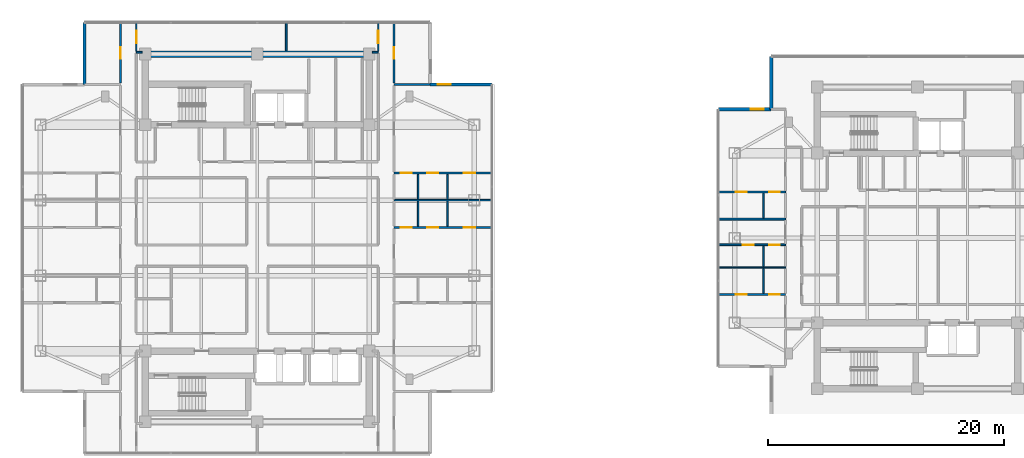
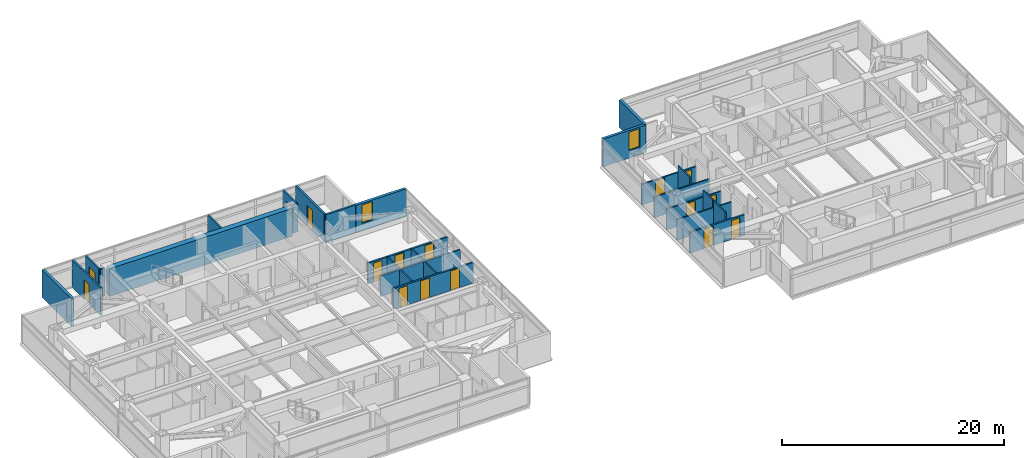
# One storey, part 15 of 24: 28 walls, 16 doors, 2 windows, 18 openings.
"""IFC4 building model written with IfcOpenShell, lengths in metres."""

from ifc_helpers import new_model, si_unit, direction, frame, frame_2d, origin, place, context, subcontext, project, spatial, rectangle, extrude, material, layer, layer_set, type_object, element, fill, save


model = new_model("IFC4")

# Units and contexts
model_context = context("Model", 3, precision=1e-05, world=origin(), true_north=direction((0.0, 1.0)))
body_context = subcontext(model_context, "Body", "Model", "MODEL_VIEW")
ifc_project = project(units=[si_unit("LENGTHUNIT", "METRE"), si_unit("AREAUNIT", "SQUARE_METRE"), si_unit("VOLUMEUNIT", "CUBIC_METRE"), si_unit("PLANEANGLEUNIT", "RADIAN"), si_unit("MASSUNIT", "GRAM", prefix="KILO")], contexts=[model_context])

# Site, building, storey
site_placement = place(None, origin())
site = spatial("IfcSite", under=ifc_project, at=site_placement, CompositionType="ELEMENT")
building_placement = place(site_placement, origin())
building = spatial("IfcBuilding", under=site, at=building_placement, Name="Mirazonda Arch Towers", CompositionType="ELEMENT")
storey_placement = place(building_placement, frame((0.0, 0.0, 157.64990234375)))
storey = spatial("IfcBuildingStorey", under=building, at=storey_placement, Name="L44", CompositionType="ELEMENT", Elevation=157.64990234375)

# Walls
ifc_material_1 = material(Name="Concrete C50/60", Category="concrete")
ifc_layer_1 = layer(ifc_material_1, 0.550048828125, Name="WALL-CORE-550")
ifc_layer_set_1 = layer_set([ifc_layer_1], Name="Concrete C50/60")
wall_type_1 = type_object("IfcWallType", Name="WALL-CORE-550", PredefinedType="SHEAR", material=ifc_layer_set_1)
wall_1_placement = place(storey_placement, frame((11.0, 43.60009765625, 0.0), z_axis=(0.0, 0.0, 1.0), x_axis=(1.0, 0.0, 0.0)))
element("IfcWall", 1, at=wall_1_placement, inside=storey, type_object=wall_type_1, Name="L44 T1N-N Core Shear Wall", PredefinedType="SHEAR", context=body_context, shape_type="SweptSolid", body=[
    extrude(rectangle(XDim=19.0, YDim=0.550048828125, at=frame_2d((9.5, 0.0))), origin(), (0.0, 0.0, 1.0), 3.050048828125),
])
ifc_material_2 = material(Name="Precast Concrete C40/50", Category="concrete")
ifc_layer_2 = layer(ifc_material_2, 0.280029296875, Name="WALL-EXT-WALL-280")
ifc_layer_set_2 = layer_set([ifc_layer_2], Name="Precast Concrete C40/50")
wall_type_2 = type_object("IfcWallType", Name="WALL-EXT-WALL-280", PredefinedType="SOLIDWALL", material=ifc_layer_set_2)
wall_2_placement = place(storey_placement, frame((5.8349609375, 46.26806640625, 0.0), z_axis=(0.0, 0.0, 1.0), x_axis=(0.0, -1.0, 0.0)))
element("IfcWall", 2, at=wall_2_placement, inside=storey, type_object=wall_type_2, Name="L44 T1 Corner Notch Return Wall WL-L44-T1-CNW2", PredefinedType="SOLIDWALL", context=body_context, shape_type="SweptSolid", body=[
    extrude(rectangle(XDim=5.2451171875, YDim=0.280029296875, at=frame_2d((2.62255859375, 0.0))), origin(), (0.0, 0.0, 1.0), 3.030029296875),
])

# Wall, opening, window
wall_3_placement = place(storey_placement, frame((40.409912109375, 41.02294921875, 0.0), z_axis=(0.0, 0.0, 1.0), x_axis=(-1.0, 0.0, 0.0)))
wall_3 = element("IfcWall", 3, at=wall_3_placement, inside=storey, type_object=wall_type_2, Name="L44 T1 Corner Notch Return Wall WL-L44-T1-CNE2", PredefinedType="SOLIDWALL", context=body_context, shape_type="SweptSolid", body=[
    extrude(rectangle(XDim=5.244873046875, YDim=0.280029296875, at=frame_2d((2.62255859375, 0.0))), origin(), (0.0, 0.0, 1.0), 3.030029296875),
])
opening_1_placement = place(wall_3_placement, frame((3.4951171875, 0.0, 0.85009765625)))
opening_1 = element("IfcOpeningElement", 4, at=opening_1_placement, cuts=wall_3, Name="Opening WN-108", PredefinedType="OPENING", context=body_context, shape_type="SweptSolid", body=[
    extrude(rectangle(XDim=1.10009765625, YDim=2.0, at=frame_2d((0.550048828125, 1.0))), frame((0.0, 0.14990234375, 0.0), z_axis=(0.0, -1.0, 0.0), x_axis=(1.0, 0.0, 0.0)), (0.0, 0.0, 1.0), 0.300048828125),
])
ifc_material_3 = material(Name="Insulated Low-E Solar Glass", Category="glass")
window_type = type_object("IfcWindowType", Name="WIN-NOTCH-1100x2000", PartitioningType="SINGLE_PANEL", PredefinedType="WINDOW", material=ifc_material_3)
window_1_placement = place(opening_1_placement, origin())
window_1 = element("IfcWindow", 5, at=window_1_placement, inside=storey, type_object=window_type, Name="L44 Punched Facade Window WN-L44-T1-CNE2", OverallHeight=2.0, OverallWidth=1.10009765625, PartitioningType="SINGLE_PANEL", PredefinedType="WINDOW", context=body_context, shape_type="SweptSolid", body=[
    extrude(rectangle(XDim=1.10009765625, YDim=2.0, at=frame_2d((0.550048828125, 1.0))), frame((0.0, 0.030029296875, 0.0), z_axis=(0.0, -1.0, 0.0), x_axis=(1.0, 0.0, 0.0)), (0.0, 0.0, 1.0), 0.06005859375),
])
fill(opening_1, window_1)

wall_4_placement = place(storey_placement, frame((64.0947265625, 38.90966796875, 0.0), z_axis=(0.0, 0.0, 1.0), x_axis=(-1.0, 0.0, 0.0)))
wall_4 = element("IfcWall", 6, at=wall_4_placement, inside=storey, type_object=wall_type_2, Name="L44 T2 Corner Notch Return Wall WL-L44-T2-CNW1", PredefinedType="SOLIDWALL", context=body_context, shape_type="SweptSolid", body=[
    extrude(rectangle(XDim=4.46533203125, YDim=0.280029296875, at=frame_2d((2.232666015625, 0.0))), origin(), (0.0, 0.0, 1.0), 3.030029296875),
])
opening_2_placement = place(wall_4_placement, frame((0.64990234375, 0.0, 0.85009765625)))
opening_2 = element("IfcOpeningElement", 7, at=opening_2_placement, cuts=wall_4, Name="Opening WN-108", PredefinedType="OPENING", context=body_context, shape_type="SweptSolid", body=[
    extrude(rectangle(XDim=1.10009765625, YDim=2.0, at=frame_2d((0.550048828125, 1.0))), frame((0.0, 0.14990234375, 0.0), z_axis=(0.0, -1.0, 0.0), x_axis=(1.0, 0.0, 0.0)), (0.0, 0.0, 1.0), 0.300048828125),
])
window_2_placement = place(opening_2_placement, origin())
window_2 = element("IfcWindow", 8, at=window_2_placement, inside=storey, type_object=window_type, Name="L44 Punched Facade Window WN-L44-T2-CNW1", OverallHeight=2.0, OverallWidth=1.10009765625, PartitioningType="SINGLE_PANEL", PredefinedType="WINDOW", context=body_context, shape_type="SweptSolid", body=[
    extrude(rectangle(XDim=1.10009765625, YDim=2.0, at=frame_2d((0.550048828125, 1.0))), frame((0.0, 0.030029296875, 0.0), z_axis=(0.0, -1.0, 0.0), x_axis=(1.0, 0.0, 0.0)), (0.0, 0.0, 1.0), 0.06005859375),
])
fill(opening_2, window_2)

# Wall
wall_5_placement = place(storey_placement, frame((64.0947265625, 43.374755859375, 0.0), z_axis=(0.0, 0.0, 1.0), x_axis=(0.0, -1.0, 0.0)))
element("IfcWall", 9, at=wall_5_placement, inside=storey, type_object=wall_type_2, Name="L44 T2 Corner Notch Return Wall WL-L44-T2-CNW2", PredefinedType="SOLIDWALL", context=body_context, shape_type="SweptSolid", body=[
    extrude(rectangle(XDim=4.465087890625, YDim=0.280029296875, at=frame_2d((2.232421875, 0.0))), origin(), (0.0, 0.0, 1.0), 3.030029296875),
])

# Wall, openings, doors
ifc_material_4 = material(Name="Fire-Rated Gypsum Stud Partition")
ifc_layer_3 = layer(ifc_material_4, 0.14990234375, Name="WALL-PART-CORR-150")
ifc_layer_set_3 = layer_set([ifc_layer_3], Name="Fire-Rated Gypsum Stud Partition")
wall_type_3 = type_object("IfcWallType", Name="WALL-PART-CORR-150", PredefinedType="PARTITIONING", material=ifc_layer_set_3)
wall_6_placement = place(storey_placement, frame((59.6298828125, 27.412109375, 0.0), z_axis=(0.0, 0.0, 1.0), x_axis=(1.0, 0.0, 0.0)))
wall_6 = element("IfcWall", 10, at=wall_6_placement, inside=storey, type_object=wall_type_3, Name="L44 Interior Partition 035", PredefinedType="PARTITIONING", context=body_context, shape_type="SweptSolid", body=[
    extrude(rectangle(XDim=5.690185546875, YDim=0.14990234375, at=frame_2d((2.84521484375, 0.0))), origin(), (0.0, 0.0, 1.0), 2.26904296875),
])
opening_3_placement = place(wall_6_placement, frame((2.050048828125, 0.0, 0.0)))
opening_3 = element("IfcOpeningElement", 11, at=opening_3_placement, cuts=wall_6, Name="Opening DR-104", PredefinedType="OPENING", context=body_context, shape_type="SweptSolid", body=[
    extrude(rectangle(XDim=0.949951171875, YDim=2.14990234375, at=frame_2d((0.47509765625, 1.074951171875))), frame((0.0, 0.0849609375, 0.0), z_axis=(0.0, -1.0, 0.0), x_axis=(1.0, 0.0, 0.0)), (0.0, 0.0, 1.0), 0.169921875),
])
opening_4_placement = place(wall_6_placement, frame((4.280029296875, 0.0, 0.0)))
opening_4 = element("IfcOpeningElement", 12, at=opening_4_placement, cuts=wall_6, Name="Opening DR-120", PredefinedType="OPENING", context=body_context, shape_type="SweptSolid", body=[
    extrude(rectangle(XDim=0.89990234375, YDim=2.10009765625, at=frame_2d((0.449951171875, 1.050048828125))), frame((0.0, 0.0849609375, 0.0), z_axis=(0.0, -1.0, 0.0), x_axis=(1.0, 0.0, 0.0)), (0.0, 0.0, 1.0), 0.169921875),
])
ifc_material_5 = material(Name="Architectural Brushed Steel S355", Category="steel")
door_type_1 = type_object("IfcDoorType", Name="DOOR-ROOM-950", OperationType="NOTDEFINED", PredefinedType="DOOR", material=ifc_material_5)
door_1_placement = place(opening_3_placement, origin())
door_1 = element("IfcDoor", 13, at=door_1_placement, inside=storey, type_object=door_type_1, Name="L44 Studio 2 Galley Kitchen Door", OperationType="SINGLE_SWING_RIGHT", OverallHeight=2.14990234375, OverallWidth=0.949951171875, PredefinedType="DOOR", context=body_context, shape_type="SweptSolid", body=[
    extrude(rectangle(XDim=0.949951171875, YDim=2.14990234375, at=frame_2d((0.47509765625, 1.074951171875))), frame((0.0, 0.02490234375, 0.0), z_axis=(0.0, -1.0, 0.0), x_axis=(1.0, 0.0, 0.0)), (0.0, 0.0, 1.0), 0.050048828125),
])
fill(opening_3, door_1)
door_type_2 = type_object("IfcDoorType", Name="DOOR-WC-900", OperationType="NOTDEFINED", PredefinedType="DOOR", material=ifc_material_5)
door_2_placement = place(opening_4_placement, origin())
door_2 = element("IfcDoor", 14, at=door_2_placement, inside=storey, type_object=door_type_2, Name="L44 Studio 2 Bathroom Door", OperationType="SINGLE_SWING_LEFT", OverallHeight=2.10009765625, OverallWidth=0.89990234375, PredefinedType="DOOR", context=body_context, shape_type="SweptSolid", body=[
    extrude(rectangle(XDim=0.89990234375, YDim=2.10009765625, at=frame_2d((0.449951171875, 1.050048828125))), frame((0.0, 0.02490234375, 0.0), z_axis=(0.0, -1.0, 0.0), x_axis=(1.0, 0.0, 0.0)), (0.0, 0.0, 1.0), 0.050048828125),
])
fill(opening_4, door_2)

# Wall
wall_7_placement = place(storey_placement, frame((59.6298828125, 29.595947265625, 0.0), z_axis=(0.0, 0.0, 1.0), x_axis=(1.0, 0.0, 0.0)))
element("IfcWall", 15, at=wall_7_placement, inside=storey, type_object=wall_type_3, Name="L44 Interior Partition 039", PredefinedType="PARTITIONING", context=body_context, shape_type="SweptSolid", body=[
    extrude(rectangle(XDim=5.690185546875, YDim=0.14990234375, at=frame_2d((2.84521484375, 0.0))), origin(), (0.0, 0.0, 1.0), 2.26904296875),
])

# Wall, openings, doors
wall_8_placement = place(storey_placement, frame((59.6298828125, 31.89599609375, 0.0), z_axis=(0.0, 0.0, 1.0), x_axis=(1.0, 0.0, 0.0)))
wall_8 = element("IfcWall", 16, at=wall_8_placement, inside=storey, type_object=wall_type_3, Name="L44 Interior Partition 044", PredefinedType="PARTITIONING", context=body_context, shape_type="SweptSolid", body=[
    extrude(rectangle(XDim=5.690185546875, YDim=0.14990234375, at=frame_2d((2.84521484375, 0.0))), origin(), (0.0, 0.0, 1.0), 2.26904296875),
])
opening_5_placement = place(wall_8_placement, frame((1.449951171875, 0.0, 0.0)))
opening_5 = element("IfcOpeningElement", 17, at=opening_5_placement, cuts=wall_8, Name="Opening DR-104", PredefinedType="OPENING", context=body_context, shape_type="SweptSolid", body=[
    extrude(rectangle(XDim=0.949951171875, YDim=2.14990234375, at=frame_2d((0.47509765625, 1.074951171875))), frame((0.0, 0.0849609375, 0.0), z_axis=(0.0, -1.0, 0.0), x_axis=(1.0, 0.0, 0.0)), (0.0, 0.0, 1.0), 0.169921875),
])
opening_6_placement = place(wall_8_placement, frame((4.280029296875, 0.0, 0.0)))
opening_6 = element("IfcOpeningElement", 18, at=opening_6_placement, cuts=wall_8, Name="Opening DR-120", PredefinedType="OPENING", context=body_context, shape_type="SweptSolid", body=[
    extrude(rectangle(XDim=0.89990234375, YDim=2.10009765625, at=frame_2d((0.449951171875, 1.050048828125))), frame((0.0, 0.0849609375, 0.0), z_axis=(0.0, -1.0, 0.0), x_axis=(1.0, 0.0, 0.0)), (0.0, 0.0, 1.0), 0.169921875),
])
door_3_placement = place(opening_5_placement, origin())
door_3 = element("IfcDoor", 19, at=door_3_placement, inside=storey, type_object=door_type_1, Name="L44 Studio 3 Galley Kitchen Door", OperationType="SINGLE_SWING_LEFT", OverallHeight=2.14990234375, OverallWidth=0.949951171875, PredefinedType="DOOR", context=body_context, shape_type="SweptSolid", body=[
    extrude(rectangle(XDim=0.949951171875, YDim=2.14990234375, at=frame_2d((0.47509765625, 1.074951171875))), frame((0.0, 0.02490234375, 0.0), z_axis=(0.0, -1.0, 0.0), x_axis=(1.0, 0.0, 0.0)), (0.0, 0.0, 1.0), 0.050048828125),
])
fill(opening_5, door_3)
door_4_placement = place(opening_6_placement, origin())
door_4 = element("IfcDoor", 20, at=door_4_placement, inside=storey, type_object=door_type_2, Name="L44 Studio 3 Bathroom Door", OperationType="SINGLE_SWING_RIGHT", OverallHeight=2.10009765625, OverallWidth=0.89990234375, PredefinedType="DOOR", context=body_context, shape_type="SweptSolid", body=[
    extrude(rectangle(XDim=0.89990234375, YDim=2.10009765625, at=frame_2d((0.449951171875, 1.050048828125))), frame((0.0, 0.02490234375, 0.0), z_axis=(0.0, -1.0, 0.0), x_axis=(1.0, 0.0, 0.0)), (0.0, 0.0, 1.0), 0.050048828125),
])
fill(opening_6, door_4)

# Walls
for number, where, z_axis, x_axis, name in (
    (21, (10.239990234375, 43.75, 0.0), (0.0, 0.0, 1.0), (1.0, 0.0, 0.0), "L44 Interior Partition 062"),
    (22, (30.27001953125, 43.75, 0.0), (0.0, 0.0, 1.0), (1.0, 0.0, 0.0), "L44 Interior Partition 063"),
):
    element("IfcWall", number, at=place(storey_placement, frame(where, z_axis=z_axis, x_axis=x_axis)), inside=storey, type_object=wall_type_3, Name=name, PredefinedType="PARTITIONING", context=body_context, shape_type="SweptSolid", body=[
        extrude(rectangle(XDim=0.489990234375, YDim=0.14990234375, at=frame_2d((0.2451171875, 0.0))), origin(), (0.0, 0.0, 1.0), 3.050048828125),
    ])

# Wall, opening, door
wall_9_placement = place(storey_placement, frame((10.239990234375, 43.8349609375, 0.0), z_axis=(0.0, 0.0, 1.0), x_axis=(0.0, 1.0, 0.0)))
wall_9 = element("IfcWall", 23, at=wall_9_placement, inside=storey, type_object=wall_type_3, Name="L44 Interior Partition 081", PredefinedType="PARTITIONING", context=body_context, shape_type="SweptSolid", body=[
    extrude(rectangle(XDim=2.43310546875, YDim=0.14990234375, at=frame_2d((1.216552734375, 0.0))), origin(), (0.0, 0.0, 1.0), 3.050048828125),
])
opening_7_placement = place(wall_9_placement, frame((0.69140625, 0.0, 0.0)))
opening_7 = element("IfcOpeningElement", 24, at=opening_7_placement, cuts=wall_9, Name="Opening DR-121", PredefinedType="OPENING", context=body_context, shape_type="SweptSolid", body=[
    extrude(rectangle(XDim=1.050048828125, YDim=2.199951171875, at=frame_2d((0.52490234375, 1.10009765625))), frame((0.0, 0.0849609375, 0.0), z_axis=(0.0, -1.0, 0.0), x_axis=(1.0, 0.0, 0.0)), (0.0, 0.0, 1.0), 0.169921875),
])
door_type_3 = type_object("IfcDoorType", Name="DOOR-SUITE-FD60-1050", OperationType="NOTDEFINED", PredefinedType="DOOR", material=ifc_material_5)
door_5_placement = place(opening_7_placement, origin())
door_5 = element("IfcDoor", 25, at=door_5_placement, inside=storey, type_object=door_type_3, Name="L44 North Bay Sunroom West Door", OperationType="SINGLE_SWING_LEFT", OverallHeight=2.199951171875, OverallWidth=1.050048828125, PredefinedType="DOOR", context=body_context, shape_type="SweptSolid", body=[
    extrude(rectangle(XDim=1.050048828125, YDim=2.199951171875, at=frame_2d((0.52490234375, 1.10009765625))), frame((0.0, 0.02490234375, 0.0), z_axis=(0.0, -1.0, 0.0), x_axis=(1.0, 0.0, 0.0)), (0.0, 0.0, 1.0), 0.050048828125),
])
fill(opening_7, door_5)

# Wall
wall_10_placement = place(storey_placement, frame((22.9619140625, 43.8701171875, 0.0), z_axis=(0.0, 0.0, 1.0), x_axis=(0.0, 1.0, 0.0)))
element("IfcWall", 26, at=wall_10_placement, inside=storey, type_object=wall_type_3, Name="L44 Interior Partition 097", PredefinedType="PARTITIONING", context=body_context, shape_type="SweptSolid", body=[
    extrude(rectangle(XDim=2.39794921875, YDim=0.14990234375, at=frame_2d((1.198974609375, 0.0))), origin(), (0.0, 0.0, 1.0), 3.050048828125),
])

# Wall, opening, door
wall_11_placement = place(storey_placement, frame((30.760009765625, 43.8349609375, 0.0), z_axis=(0.0, 0.0, 1.0), x_axis=(0.0, 1.0, 0.0)))
wall_11 = element("IfcWall", 27, at=wall_11_placement, inside=storey, type_object=wall_type_3, Name="L44 Interior Partition 113", PredefinedType="PARTITIONING", context=body_context, shape_type="SweptSolid", body=[
    extrude(rectangle(XDim=2.43310546875, YDim=0.14990234375, at=frame_2d((1.216552734375, 0.0))), origin(), (0.0, 0.0, 1.0), 3.050048828125),
])
opening_8_placement = place(wall_11_placement, frame((0.69140625, 0.0, 0.0)))
opening_8 = element("IfcOpeningElement", 28, at=opening_8_placement, cuts=wall_11, Name="Opening DR-121", PredefinedType="OPENING", context=body_context, shape_type="SweptSolid", body=[
    extrude(rectangle(XDim=1.050048828125, YDim=2.199951171875, at=frame_2d((0.52490234375, 1.10009765625))), frame((0.0, 0.0849609375, 0.0), z_axis=(0.0, -1.0, 0.0), x_axis=(1.0, 0.0, 0.0)), (0.0, 0.0, 1.0), 0.169921875),
])
door_6_placement = place(opening_8_placement, origin())
door_6 = element("IfcDoor", 29, at=door_6_placement, inside=storey, type_object=door_type_3, Name="L44 North Bay Sunroom East Door", OperationType="SINGLE_SWING_RIGHT", OverallHeight=2.199951171875, OverallWidth=1.050048828125, PredefinedType="DOOR", context=body_context, shape_type="SweptSolid", body=[
    extrude(rectangle(XDim=1.050048828125, YDim=2.199951171875, at=frame_2d((0.52490234375, 1.10009765625))), frame((0.0, 0.02490234375, 0.0), z_axis=(0.0, -1.0, 0.0), x_axis=(1.0, 0.0, 0.0)), (0.0, 0.0, 1.0), 0.050048828125),
])
fill(opening_8, door_6)

# Wall, openings, doors
ifc_material_6 = material(Name="Fire-Rated Gypsum Twin-Stud Assembly")
ifc_layer_4 = layer(ifc_material_6, 0.179931640625, Name="WALL-PART-DEMISE-180")
ifc_layer_set_4 = layer_set([ifc_layer_4], Name="Fire-Rated Gypsum Twin-Stud Assembly")
wall_type_4 = type_object("IfcWallType", Name="WALL-PART-DEMISE-180", PredefinedType="PARTITIONING", material=ifc_layer_set_4)
wall_12_placement = place(storey_placement, frame((59.6298828125, 23.19189453125, 0.0), z_axis=(0.0, 0.0, 1.0), x_axis=(1.0, 0.0, 0.0)))
wall_12 = element("IfcWall", 30, at=wall_12_placement, inside=storey, type_object=wall_type_4, Name="L44 Interior Partition 025", PredefinedType="PARTITIONING", context=body_context, shape_type="SweptSolid", body=[
    extrude(rectangle(XDim=5.690185546875, YDim=0.179931640625, at=frame_2d((2.84521484375, 0.0))), origin(), (0.0, 0.0, 1.0), 2.26904296875),
])
opening_9_placement = place(wall_12_placement, frame((1.449951171875, 0.0, 0.0)))
opening_9 = element("IfcOpeningElement", 31, at=opening_9_placement, cuts=wall_12, Name="Opening DR-104", PredefinedType="OPENING", context=body_context, shape_type="SweptSolid", body=[
    extrude(rectangle(XDim=0.949951171875, YDim=2.14990234375, at=frame_2d((0.47509765625, 1.074951171875))), frame((0.0, 0.099853515625, 0.0), z_axis=(0.0, -1.0, 0.0), x_axis=(1.0, 0.0, 0.0)), (0.0, 0.0, 1.0), 0.199951171875),
])
opening_10_placement = place(wall_12_placement, frame((4.280029296875, 0.0, 0.0)))
opening_10 = element("IfcOpeningElement", 32, at=opening_10_placement, cuts=wall_12, Name="Opening DR-120", PredefinedType="OPENING", context=body_context, shape_type="SweptSolid", body=[
    extrude(rectangle(XDim=0.89990234375, YDim=2.10009765625, at=frame_2d((0.449951171875, 1.050048828125))), frame((0.0, 0.099853515625, 0.0), z_axis=(0.0, -1.0, 0.0), x_axis=(1.0, 0.0, 0.0)), (0.0, 0.0, 1.0), 0.199951171875),
])
door_7_placement = place(opening_9_placement, origin())
door_7 = element("IfcDoor", 33, at=door_7_placement, inside=storey, type_object=door_type_1, Name="L44 Studio 1 Galley Kitchen Door", OperationType="SINGLE_SWING_LEFT", OverallHeight=2.14990234375, OverallWidth=0.949951171875, PredefinedType="DOOR", context=body_context, shape_type="SweptSolid", body=[
    extrude(rectangle(XDim=0.949951171875, YDim=2.14990234375, at=frame_2d((0.47509765625, 1.074951171875))), frame((0.0, 0.02490234375, 0.0), z_axis=(0.0, -1.0, 0.0), x_axis=(1.0, 0.0, 0.0)), (0.0, 0.0, 1.0), 0.050048828125),
])
fill(opening_9, door_7)
door_8_placement = place(opening_10_placement, origin())
door_8 = element("IfcDoor", 34, at=door_8_placement, inside=storey, type_object=door_type_2, Name="L44 Studio 1 Bathroom Door", OperationType="SINGLE_SWING_RIGHT", OverallHeight=2.10009765625, OverallWidth=0.89990234375, PredefinedType="DOOR", context=body_context, shape_type="SweptSolid", body=[
    extrude(rectangle(XDim=0.89990234375, YDim=2.10009765625, at=frame_2d((0.449951171875, 1.050048828125))), frame((0.0, 0.02490234375, 0.0), z_axis=(0.0, -1.0, 0.0), x_axis=(1.0, 0.0, 0.0)), (0.0, 0.0, 1.0), 0.050048828125),
])
fill(opening_10, door_8)

wall_13_placement = place(storey_placement, frame((32.10009765625, 28.89990234375, 0.0), z_axis=(0.0, 0.0, 1.0), x_axis=(1.0, 0.0, 0.0)))
wall_13 = element("IfcWall", 35, at=wall_13_placement, inside=storey, type_object=wall_type_4, Name="L44 Interior Partition 038", PredefinedType="PARTITIONING", context=body_context, shape_type="SweptSolid", body=[
    extrude(rectangle(XDim=8.309814453125, YDim=0.179931640625, at=frame_2d((4.15478515625, 0.0))), origin(), (0.0, 0.0, 1.0), 2.26904296875),
])
opening_11_placement = place(wall_13_placement, frame((5.93408203125, 0.0, 0.0)))
opening_11 = element("IfcOpeningElement", 36, at=opening_11_placement, cuts=wall_13, Name="Opening DR-104", PredefinedType="OPENING", context=body_context, shape_type="SweptSolid", body=[
    extrude(rectangle(XDim=0.949951171875, YDim=2.14990234375, at=frame_2d((0.47509765625, 1.074951171875))), frame((0.0, 0.099853515625, 0.0), z_axis=(0.0, -1.0, 0.0), x_axis=(1.0, 0.0, 0.0)), (0.0, 0.0, 1.0), 0.199951171875),
])
opening_12_placement = place(wall_13_placement, frame((2.819091796875, 0.0, 0.0)))
opening_12 = element("IfcOpeningElement", 37, at=opening_12_placement, cuts=wall_13, Name="Opening DR-104", PredefinedType="OPENING", context=body_context, shape_type="SweptSolid", body=[
    extrude(rectangle(XDim=0.949951171875, YDim=2.14990234375, at=frame_2d((0.47509765625, 1.074951171875))), frame((0.0, 0.099853515625, 0.0), z_axis=(0.0, -1.0, 0.0), x_axis=(1.0, 0.0, 0.0)), (0.0, 0.0, 1.0), 0.199951171875),
])
opening_13_placement = place(wall_13_placement, frame((0.590087890625, 0.0, 0.0)))
opening_13 = element("IfcOpeningElement", 38, at=opening_13_placement, cuts=wall_13, Name="Opening DR-120", PredefinedType="OPENING", context=body_context, shape_type="SweptSolid", body=[
    extrude(rectangle(XDim=0.89990234375, YDim=2.10009765625, at=frame_2d((0.449951171875, 1.050048828125))), frame((0.0, 0.099853515625, 0.0), z_axis=(0.0, -1.0, 0.0), x_axis=(1.0, 0.0, 0.0)), (0.0, 0.0, 1.0), 0.199951171875),
])
door_9_placement = place(opening_11_placement, origin())
door_9 = element("IfcDoor", 39, at=door_9_placement, inside=storey, type_object=door_type_1, Name="L44 Residence 2 Principal Bedroom Door", OperationType="SINGLE_SWING_RIGHT", OverallHeight=2.14990234375, OverallWidth=0.949951171875, PredefinedType="DOOR", context=body_context, shape_type="SweptSolid", body=[
    extrude(rectangle(XDim=0.949951171875, YDim=2.14990234375, at=frame_2d((0.47509765625, 1.074951171875))), frame((0.0, 0.02490234375, 0.0), z_axis=(0.0, -1.0, 0.0), x_axis=(1.0, 0.0, 0.0)), (0.0, 0.0, 1.0), 0.050048828125),
])
fill(opening_11, door_9)
door_10_placement = place(opening_12_placement, origin())
door_10 = element("IfcDoor", 40, at=door_10_placement, inside=storey, type_object=door_type_1, Name="L44 Residence 2 Fitted Kitchen Door", OperationType="SINGLE_SWING_LEFT", OverallHeight=2.14990234375, OverallWidth=0.949951171875, PredefinedType="DOOR", context=body_context, shape_type="SweptSolid", body=[
    extrude(rectangle(XDim=0.949951171875, YDim=2.14990234375, at=frame_2d((0.47509765625, 1.074951171875))), frame((0.0, 0.02490234375, 0.0), z_axis=(0.0, -1.0, 0.0), x_axis=(1.0, 0.0, 0.0)), (0.0, 0.0, 1.0), 0.050048828125),
])
fill(opening_12, door_10)
door_11_placement = place(opening_13_placement, origin())
door_11 = element("IfcDoor", 41, at=door_11_placement, inside=storey, type_object=door_type_2, Name="L44 Residence 2 Bathroom Door", OperationType="SINGLE_SWING_RIGHT", OverallHeight=2.10009765625, OverallWidth=0.89990234375, PredefinedType="DOOR", context=body_context, shape_type="SweptSolid", body=[
    extrude(rectangle(XDim=0.89990234375, YDim=2.10009765625, at=frame_2d((0.449951171875, 1.050048828125))), frame((0.0, 0.02490234375, 0.0), z_axis=(0.0, -1.0, 0.0), x_axis=(1.0, 0.0, 0.0)), (0.0, 0.0, 1.0), 0.050048828125),
])
fill(opening_13, door_11)

wall_14_placement = place(storey_placement, frame((32.10009765625, 33.5, 0.0), z_axis=(0.0, 0.0, 1.0), x_axis=(1.0, 0.0, 0.0)))
wall_14 = element("IfcWall", 42, at=wall_14_placement, inside=storey, type_object=wall_type_4, Name="L44 Interior Partition 050", PredefinedType="PARTITIONING", context=body_context, shape_type="SweptSolid", body=[
    extrude(rectangle(XDim=8.309814453125, YDim=0.179931640625, at=frame_2d((4.15478515625, 0.0))), origin(), (0.0, 0.0, 1.0), 2.26904296875),
])
opening_14_placement = place(wall_14_placement, frame((5.93408203125, 0.0, 0.0)))
opening_14 = element("IfcOpeningElement", 43, at=opening_14_placement, cuts=wall_14, Name="Opening DR-104", PredefinedType="OPENING", context=body_context, shape_type="SweptSolid", body=[
    extrude(rectangle(XDim=0.949951171875, YDim=2.14990234375, at=frame_2d((0.47509765625, 1.074951171875))), frame((0.0, 0.099853515625, 0.0), z_axis=(0.0, -1.0, 0.0), x_axis=(1.0, 0.0, 0.0)), (0.0, 0.0, 1.0), 0.199951171875),
])
opening_15_placement = place(wall_14_placement, frame((2.819091796875, 0.0, 0.0)))
opening_15 = element("IfcOpeningElement", 44, at=opening_15_placement, cuts=wall_14, Name="Opening DR-104", PredefinedType="OPENING", context=body_context, shape_type="SweptSolid", body=[
    extrude(rectangle(XDim=0.949951171875, YDim=2.14990234375, at=frame_2d((0.47509765625, 1.074951171875))), frame((0.0, 0.099853515625, 0.0), z_axis=(0.0, -1.0, 0.0), x_axis=(1.0, 0.0, 0.0)), (0.0, 0.0, 1.0), 0.199951171875),
])
opening_16_placement = place(wall_14_placement, frame((0.590087890625, 0.0, 0.0)))
opening_16 = element("IfcOpeningElement", 45, at=opening_16_placement, cuts=wall_14, Name="Opening DR-120", PredefinedType="OPENING", context=body_context, shape_type="SweptSolid", body=[
    extrude(rectangle(XDim=0.89990234375, YDim=2.10009765625, at=frame_2d((0.449951171875, 1.050048828125))), frame((0.0, 0.099853515625, 0.0), z_axis=(0.0, -1.0, 0.0), x_axis=(1.0, 0.0, 0.0)), (0.0, 0.0, 1.0), 0.199951171875),
])
door_12_placement = place(opening_14_placement, origin())
door_12 = element("IfcDoor", 46, at=door_12_placement, inside=storey, type_object=door_type_1, Name="L44 Residence 3 Principal Bedroom Door", OperationType="SINGLE_SWING_RIGHT", OverallHeight=2.14990234375, OverallWidth=0.949951171875, PredefinedType="DOOR", context=body_context, shape_type="SweptSolid", body=[
    extrude(rectangle(XDim=0.949951171875, YDim=2.14990234375, at=frame_2d((0.47509765625, 1.074951171875))), frame((0.0, 0.02490234375, 0.0), z_axis=(0.0, -1.0, 0.0), x_axis=(1.0, 0.0, 0.0)), (0.0, 0.0, 1.0), 0.050048828125),
])
fill(opening_14, door_12)
door_13_placement = place(opening_15_placement, origin())
door_13 = element("IfcDoor", 47, at=door_13_placement, inside=storey, type_object=door_type_1, Name="L44 Residence 3 Fitted Kitchen Door", OperationType="SINGLE_SWING_LEFT", OverallHeight=2.14990234375, OverallWidth=0.949951171875, PredefinedType="DOOR", context=body_context, shape_type="SweptSolid", body=[
    extrude(rectangle(XDim=0.949951171875, YDim=2.14990234375, at=frame_2d((0.47509765625, 1.074951171875))), frame((0.0, 0.02490234375, 0.0), z_axis=(0.0, -1.0, 0.0), x_axis=(1.0, 0.0, 0.0)), (0.0, 0.0, 1.0), 0.050048828125),
])
fill(opening_15, door_13)
door_14_placement = place(opening_16_placement, origin())
door_14 = element("IfcDoor", 48, at=door_14_placement, inside=storey, type_object=door_type_2, Name="L44 Residence 3 Bathroom Door", OperationType="SINGLE_SWING_RIGHT", OverallHeight=2.10009765625, OverallWidth=0.89990234375, PredefinedType="DOOR", context=body_context, shape_type="SweptSolid", body=[
    extrude(rectangle(XDim=0.89990234375, YDim=2.10009765625, at=frame_2d((0.449951171875, 1.050048828125))), frame((0.0, 0.02490234375, 0.0), z_axis=(0.0, -1.0, 0.0), x_axis=(1.0, 0.0, 0.0)), (0.0, 0.0, 1.0), 0.050048828125),
])
fill(opening_16, door_14)

# Wall
wall_15_placement = place(storey_placement, frame((32.10009765625, 41.02294921875, 0.0), z_axis=(0.0, 0.0, 1.0), x_axis=(1.0, 0.0, 0.0)))
element("IfcWall", 49, at=wall_15_placement, inside=storey, type_object=wall_type_4, Name="L44 Interior Partition 061", PredefinedType="PARTITIONING", context=body_context, shape_type="SweptSolid", body=[
    extrude(rectangle(XDim=3.044921875, YDim=0.179931640625, at=frame_2d((1.5224609375, 0.0))), origin(), (0.0, 0.0, 1.0), 3.050048828125),
])

# Wall, opening, door
wall_16_placement = place(storey_placement, frame((8.89990234375, 41.123046875, 0.0), z_axis=(0.0, 0.0, 1.0), x_axis=(0.0, 1.0, 0.0)))
wall_16 = element("IfcWall", 50, at=wall_16_placement, inside=storey, type_object=wall_type_4, Name="L44 Interior Partition 074", PredefinedType="PARTITIONING", context=body_context, shape_type="SweptSolid", body=[
    extrude(rectangle(XDim=5.14501953125, YDim=0.179931640625, at=frame_2d((2.572509765625, 0.0))), origin(), (0.0, 0.0, 1.0), 3.050048828125),
])
opening_17_placement = place(wall_16_placement, frame((2.097412109375, 0.0, 0.0)))
opening_17 = element("IfcOpeningElement", 51, at=opening_17_placement, cuts=wall_16, Name="Opening DR-104", PredefinedType="OPENING", context=body_context, shape_type="SweptSolid", body=[
    extrude(rectangle(XDim=0.949951171875, YDim=2.14990234375, at=frame_2d((0.47509765625, 1.074951171875))), frame((0.0, 0.099853515625, 0.0), z_axis=(0.0, -1.0, 0.0), x_axis=(1.0, 0.0, 0.0)), (0.0, 0.0, 1.0), 0.199951171875),
])
door_15_placement = place(opening_17_placement, origin())
door_15 = element("IfcDoor", 52, at=door_15_placement, inside=storey, type_object=door_type_1, Name="L44 North Bay Sunroom Alcove West Door", OperationType="SINGLE_SWING_LEFT", OverallHeight=2.14990234375, OverallWidth=0.949951171875, PredefinedType="DOOR", context=body_context, shape_type="SweptSolid", body=[
    extrude(rectangle(XDim=0.949951171875, YDim=2.14990234375, at=frame_2d((0.47509765625, 1.074951171875))), frame((0.0, 0.02490234375, 0.0), z_axis=(0.0, -1.0, 0.0), x_axis=(1.0, 0.0, 0.0)), (0.0, 0.0, 1.0), 0.050048828125),
])
fill(opening_17, door_15)

wall_17_placement = place(storey_placement, frame((32.10009765625, 41.123046875, 0.0), z_axis=(0.0, 0.0, 1.0), x_axis=(0.0, 1.0, 0.0)))
wall_17 = element("IfcWall", 53, at=wall_17_placement, inside=storey, type_object=wall_type_4, Name="L44 Interior Partition 121", PredefinedType="PARTITIONING", context=body_context, shape_type="SweptSolid", body=[
    extrude(rectangle(XDim=5.14501953125, YDim=0.179931640625, at=frame_2d((2.572509765625, 0.0))), origin(), (0.0, 0.0, 1.0), 3.050048828125),
])
opening_18_placement = place(wall_17_placement, frame((2.097412109375, 0.0, 0.0)))
opening_18 = element("IfcOpeningElement", 54, at=opening_18_placement, cuts=wall_17, Name="Opening DR-104", PredefinedType="OPENING", context=body_context, shape_type="SweptSolid", body=[
    extrude(rectangle(XDim=0.949951171875, YDim=2.14990234375, at=frame_2d((0.47509765625, 1.074951171875))), frame((0.0, 0.099853515625, 0.0), z_axis=(0.0, -1.0, 0.0), x_axis=(1.0, 0.0, 0.0)), (0.0, 0.0, 1.0), 0.199951171875),
])
door_16_placement = place(opening_18_placement, origin())
door_16 = element("IfcDoor", 55, at=door_16_placement, inside=storey, type_object=door_type_1, Name="L44 North Bay Sunroom Alcove East Door", OperationType="SINGLE_SWING_RIGHT", OverallHeight=2.14990234375, OverallWidth=0.949951171875, PredefinedType="DOOR", context=body_context, shape_type="SweptSolid", body=[
    extrude(rectangle(XDim=0.949951171875, YDim=2.14990234375, at=frame_2d((0.47509765625, 1.074951171875))), frame((0.0, 0.02490234375, 0.0), z_axis=(0.0, -1.0, 0.0), x_axis=(1.0, 0.0, 0.0)), (0.0, 0.0, 1.0), 0.050048828125),
])
fill(opening_18, door_16)

# Walls
ifc_material_7 = material(Name="Acoustic Fire-Rated Gypsum Partition")
ifc_layer_5 = layer(ifc_material_7, 0.125, Name="WALL-PART-UNIT-125")
ifc_layer_set_5 = layer_set([ifc_layer_5], Name="Acoustic Fire-Rated Gypsum Partition")
wall_type_5 = type_object("IfcWallType", Name="WALL-PART-UNIT-125", PredefinedType="PARTITIONING", material=ifc_layer_set_5)
wall_18_placement = place(storey_placement, frame((59.6298828125, 25.491943359375, 0.0), z_axis=(0.0, 0.0, 1.0), x_axis=(1.0, 0.0, 0.0)))
element("IfcWall", 56, at=wall_18_placement, inside=storey, type_object=wall_type_5, Name="L44 Interior Partition 031", PredefinedType="PARTITIONING", context=body_context, shape_type="SweptSolid", body=[
    extrude(rectangle(XDim=5.690185546875, YDim=0.125, at=frame_2d((2.84521484375, 0.0))), origin(), (0.0, 0.0, 1.0), 2.26904296875),
])
wall_19_placement = place(storey_placement, frame((32.10009765625, 31.199951171875, 0.0), z_axis=(0.0, 0.0, 1.0), x_axis=(1.0, 0.0, 0.0)))
element("IfcWall", 57, at=wall_19_placement, inside=storey, type_object=wall_type_5, Name="L44 Interior Partition 043", PredefinedType="PARTITIONING", context=body_context, shape_type="SweptSolid", body=[
    extrude(rectangle(XDim=8.309814453125, YDim=0.125, at=frame_2d((4.15478515625, 0.0))), origin(), (0.0, 0.0, 1.0), 2.26904296875),
])
for number, where, z_axis, x_axis, name in (
    (58, (34.139892578125, 29.0, 0.0), (0.0, 0.0, 1.0), (0.0, 1.0, 0.0), "L44 Interior Partition 123"),
    (59, (34.139892578125, 31.2724609375, 0.0), (0.0, 0.0, 1.0), (0.0, 1.0, 0.0), "L44 Interior Partition 124"),
    (60, (36.64794921875, 29.0, 0.0), (0.0, 0.0, 1.0), (0.0, 1.0, 0.0), "L44 Interior Partition 126"),
    (61, (36.64794921875, 31.2724609375, 0.0), (0.0, 0.0, 1.0), (0.0, 1.0, 0.0), "L44 Interior Partition 127"),
):
    element("IfcWall", number, at=place(storey_placement, frame(where, z_axis=z_axis, x_axis=x_axis)), inside=storey, type_object=wall_type_5, Name=name, PredefinedType="PARTITIONING", context=body_context, shape_type="SweptSolid", body=[
        extrude(rectangle(XDim=2.12744140625, YDim=0.125, at=frame_2d((1.063720703125, 0.0))), origin(), (0.0, 0.0, 1.0), 2.34619140625),
    ])
wall_20_placement = place(storey_placement, frame((63.43994140625, 23.2919921875, 0.0), z_axis=(0.0, 0.0, 1.0), x_axis=(0.0, 1.0, 0.0)))
element("IfcWall", 62, at=wall_20_placement, inside=storey, type_object=wall_type_5, Name="L44 Interior Partition 128", PredefinedType="PARTITIONING", context=body_context, shape_type="SweptSolid", body=[
    extrude(rectangle(XDim=2.12744140625, YDim=0.125, at=frame_2d((1.063720703125, 0.0))), origin(), (0.0, 0.0, 1.0), 3.050048828125),
])
wall_21_placement = place(storey_placement, frame((63.43994140625, 25.564453125, 0.0), z_axis=(0.0, 0.0, 1.0), x_axis=(0.0, 1.0, 0.0)))
element("IfcWall", 63, at=wall_21_placement, inside=storey, type_object=wall_type_5, Name="L44 Interior Partition 129", PredefinedType="PARTITIONING", context=body_context, shape_type="SweptSolid", body=[
    extrude(rectangle(XDim=1.762451171875, YDim=0.125, at=frame_2d((0.88134765625, 0.0))), origin(), (0.0, 0.0, 1.0), 3.050048828125),
])
wall_22_placement = place(storey_placement, frame((63.43994140625, 29.680908203125, 0.0), z_axis=(0.0, 0.0, 1.0), x_axis=(0.0, 1.0, 0.0)))
element("IfcWall", 64, at=wall_22_placement, inside=storey, type_object=wall_type_5, Name="L44 Interior Partition 130", PredefinedType="PARTITIONING", context=body_context, shape_type="SweptSolid", body=[
    extrude(rectangle(XDim=2.130126953125, YDim=0.125, at=frame_2d((1.06494140625, 0.0))), origin(), (0.0, 0.0, 1.0), 3.050048828125),
])

save(model, "model.ifc")
